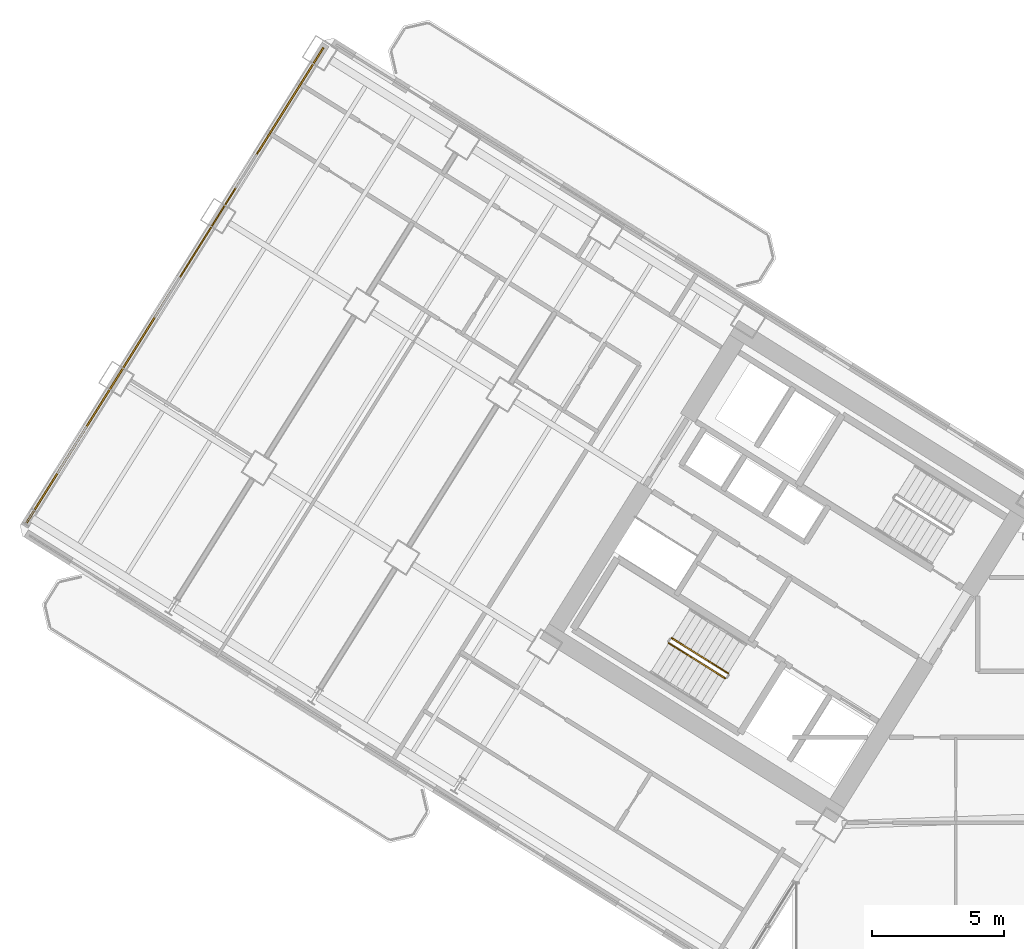
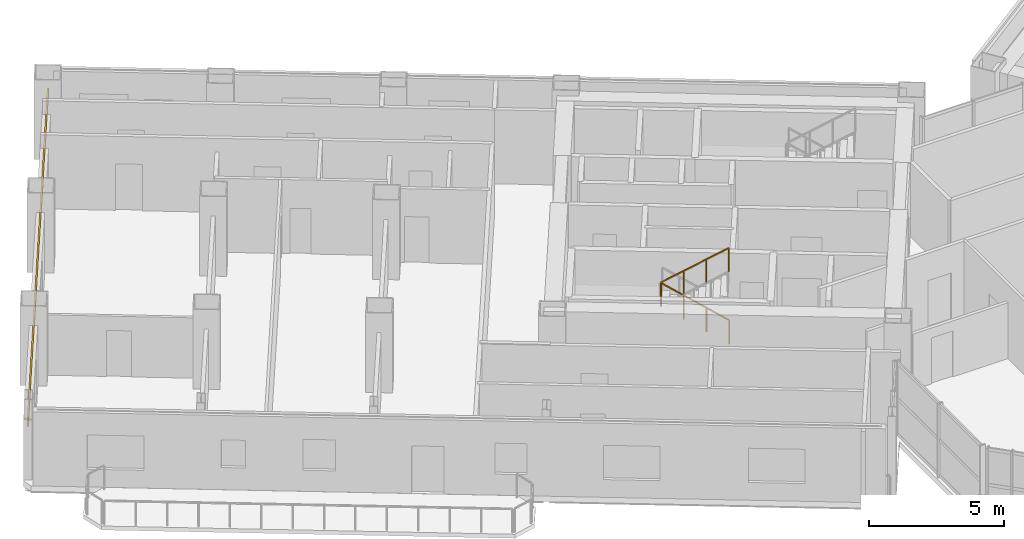
# One storey, part 23 of 28: 2 railings, 1 covering.
"""IFC4 building model written with IfcOpenShell, lengths in metres."""

from ifc_helpers import new_model, si_unit, direction, frame, origin, origin_2d, place, context, subcontext, project, spatial, rectangle, extrude, source, transform, mapped, material, layer, layer_set, type_object, element, save


model = new_model("IFC4")

# Units and contexts
model_context = context("Model", 3, precision=1e-05, world=origin(), true_north=direction((0.0, 1.0)))
body_context = subcontext(model_context, "Body", "Model", "MODEL_VIEW")
ifc_project = project(units=[si_unit("LENGTHUNIT", "METRE"), si_unit("AREAUNIT", "SQUARE_METRE"), si_unit("VOLUMEUNIT", "CUBIC_METRE"), si_unit("PLANEANGLEUNIT", "RADIAN"), si_unit("MASSUNIT", "GRAM", prefix="KILO")], contexts=[model_context])

# Site, building, storey
site_placement = place(None, origin())
site = spatial("IfcSite", under=ifc_project, at=site_placement, CompositionType="ELEMENT")
building_placement = place(site_placement, origin())
building = spatial("IfcBuilding", under=site, at=building_placement, Name="Tlacorven Tower", CompositionType="ELEMENT")
storey_placement = place(building_placement, frame((0.0, 0.0, 34.800048828125)))
storey = spatial("IfcBuildingStorey", under=building, at=storey_placement, Name="L08", CompositionType="ELEMENT", Elevation=34.800048828125)

# Covering
ifc_material_1 = material(Name="Precast concrete C45/55", Category="concrete")
ifc_layer = layer(ifc_material_1, 0.06005859375)
ifc_layer_set = layer_set([ifc_layer], Name="Precast concrete C45/55")
covering_type = type_object("IfcCoveringType", Name="CV-CLD-TERC", PredefinedType="CLADDING", material=ifc_layer_set)
shared_shape_1 = source(origin(), body_context, "Body", "SweptSolid", [
    extrude(rectangle(XDim=21.287353515625, YDim=0.06005859375, at=origin_2d()), origin(), (0.0, 0.0, 1.0), 0.419921875),
])
covering_placement = place(storey_placement, frame((8.13427734375, 32.606201171875, 2.304931640625), z_axis=(0.0, 0.0, 1.0), x_axis=(0.529918940959, 0.84804829816, 0.0)))
element("IfcCovering", 1, at=covering_placement, inside=storey, type_object=covering_type, Name="L08 Masonry-Frame Spandrel Cladding 2", PredefinedType="CLADDING", context=body_context, shape_type="MappedRepresentation", body=[
    mapped(shared_shape_1, transform((0.0, 0.0, 0.0), scale=1.0)),
])

# Railings
ifc_material_2 = material(Name="Aluminium and painted steel balustrade", Category="steel")
railing_type = type_object("IfcRailingType", Name="RL-GRD-1100", PredefinedType="GUARDRAIL", material=ifc_material_2)
shared_shape_2 = source(origin(), body_context, "Body", "SweptSolid", [
    extrude(rectangle(XDim=0.048095703125, YDim=0.048095703125, at=origin_2d()), frame((0.0, 0.0, 1.076171875), z_axis=(-0.713319727316, 0.445773895627, 0.540796265334), x_axis=(-0.529955395941, -0.84802551749, 0.0)), (0.0, 0.0, 1.0), 2.995849609375),
    extrude(rectangle(XDim=0.0419921875, YDim=0.0419921875, at=origin_2d()), origin(), (0.0, 0.0, 1.0), 1.052001953125),
    extrude(rectangle(XDim=0.0419921875, YDim=0.0419921875, at=origin_2d()), frame((-0.71240234375, 0.445068359375, 0.5400390625)), (0.0, 0.0, 1.0), 1.052001953125),
    extrude(rectangle(XDim=0.0419921875, YDim=0.0419921875, at=origin_2d()), frame((-1.424560546875, 0.890380859375, 1.080078125)), (0.0, 0.0, 1.0), 1.052001953125),
    extrude(rectangle(XDim=0.0419921875, YDim=0.0419921875, at=origin_2d()), frame((-2.136962890625, 1.33544921875, 1.6201171875)), (0.0, 0.0, 1.0), 1.052001953125),
])
railing_1_placement = place(storey_placement, frame((29.16064453125, 17.851806640625, 0.179931640625)))
element("IfcRailing", 2, at=railing_1_placement, inside=storey, type_object=railing_type, Name="L08 ST-W1 stair guard 1", PredefinedType="GUARDRAIL", context=body_context, shape_type="MappedRepresentation", body=[
    mapped(shared_shape_2, transform((0.0, 0.0, 0.0), scale=1.0)),
])
shared_shape_3 = source(origin(), body_context, "Body", "SweptSolid", [
    extrude(rectangle(XDim=0.048095703125, YDim=0.048095703125, at=origin_2d()), frame((0.0, 0.0, 1.076171875), z_axis=(0.71339118691, -0.44576762536, 0.540707165313), x_axis=(0.529911857636, 0.848052724267, 0.0)), (0.0, 0.0, 1.0), 2.995849609375),
    extrude(rectangle(XDim=0.0419921875, YDim=0.0419921875, at=origin_2d()), origin(), (0.0, 0.0, 1.0), 1.052001953125),
    extrude(rectangle(XDim=0.0419921875, YDim=0.0419921875, at=origin_2d()), frame((0.71240234375, -0.445068359375, 0.5400390625)), (0.0, 0.0, 1.0), 1.052001953125),
    extrude(rectangle(XDim=0.0419921875, YDim=0.0419921875, at=origin_2d()), frame((1.4248046875, -0.890380859375, 1.079833984375)), (0.0, 0.0, 1.0), 1.052001953125),
    extrude(rectangle(XDim=0.0419921875, YDim=0.0419921875, at=origin_2d()), frame((2.13720703125, -1.33544921875, 1.619873046875)), (0.0, 0.0, 1.0), 1.052001953125),
])
railing_2_placement = place(storey_placement, frame((26.906982421875, 19.000732421875, 1.97998046875)))
element("IfcRailing", 3, at=railing_2_placement, inside=storey, type_object=railing_type, Name="L08 ST-W1 stair guard 3", PredefinedType="GUARDRAIL", context=body_context, shape_type="MappedRepresentation", body=[
    mapped(shared_shape_3, transform((0.0, 0.0, 0.0), scale=1.0)),
])

save(model, "model.ifc")
